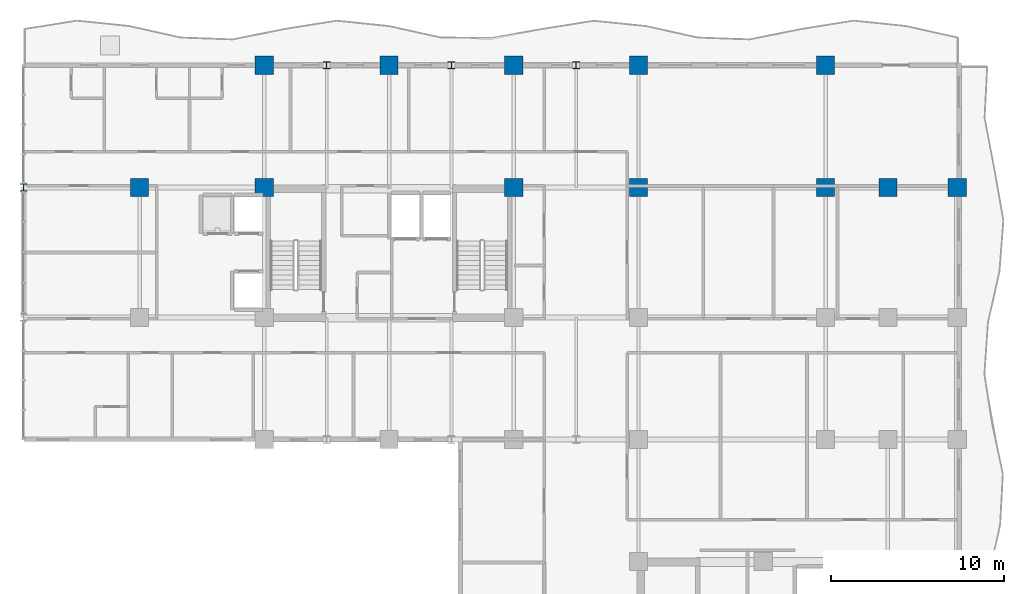
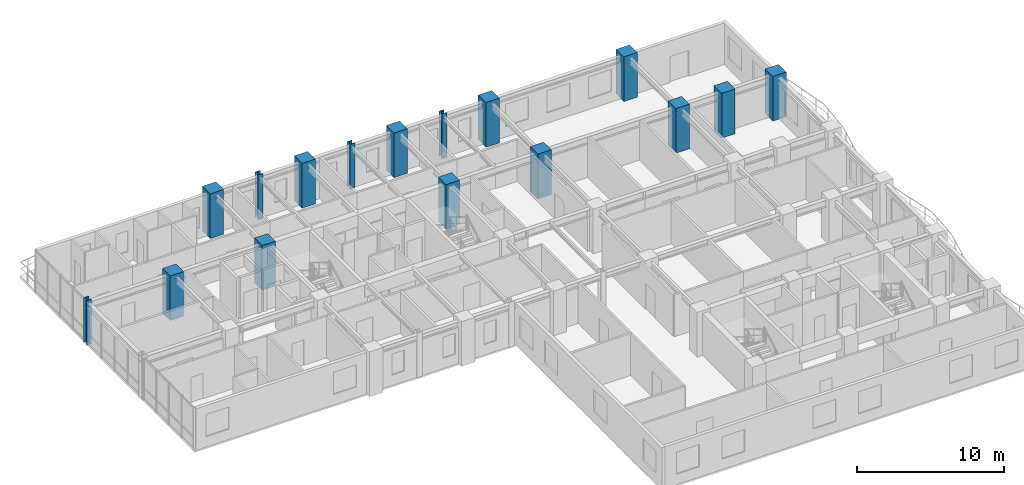
# One storey, part 2 of 20: 16 columns.
"""IFC4 building model written with IfcOpenShell, lengths in metres."""

import ifcopenshell
import ifcopenshell.guid

model = None  # the IFC model being written
_history = None  # IfcOwnerHistory: only IFC2X3 demands one
_inside = {}  # id of a spatial element -> (the spatial element, [elements in it])
_under = {}  # id of a project, library or spatial element -> (it, [spatial elements below it])
_declared = {}  # id of a project -> (the project, [libraries it declares])
_typed = {}  # id of a type object -> (the type object, [elements of that type])
_made_of = {}  # id of a material, layer set ... -> (it, [elements and type objects made of it])


def new_model(schema):
    """Start an empty IFC model of exactly this schema.

    Asked for "IFC4X3", IfcOpenShell would pick the latest addendum, in which some entities
    have other attributes; the version numbers below select the first issue.
    IFC2X3 requires an IfcOwnerHistory on every rooted entity: one is made here for all.
    """
    global model, _history
    if schema == "IFC4X3":
        model = ifcopenshell.file(schema_version=(4, 3, 0, 0))
    else:
        model = ifcopenshell.file(schema=schema)
    _inside.clear()
    _under.clear()
    _declared.clear()
    _typed.clear()
    _made_of.clear()
    _history = None
    if model.schema == "IFC2X3":
        org = make("IfcOrganization", Name="unknown")
        user = make(
            "IfcPersonAndOrganization",
            ThePerson=make("IfcPerson", FamilyName="unknown"),
            TheOrganization=org,
        )
        app = make(
            "IfcApplication",
            ApplicationDeveloper=org,
            Version="unknown",
            ApplicationFullName="unknown",
            ApplicationIdentifier="unknown",
        )
        _history = make(
            "IfcOwnerHistory",
            OwningUser=user,
            OwningApplication=app,
            ChangeAction="ADDED",
            CreationDate=0,
        )
    return model


def make(cls, **values):
    """One entity of the class cls with the attributes given. An attribute that is None is left unset."""
    return model.create_entity(
        cls, **{name: value for name, value in values.items() if value is not None}
    )


def rooted(cls, **values):
    """An entity with a GlobalId (a new one), such as an element, a storey or a relation."""
    return make(cls, GlobalId=ifcopenshell.guid.new(), OwnerHistory=_history, **values)


def si_unit(unit_type, name, prefix=None):
    """IfcSIUnit, for example si_unit("LENGTHUNIT", "METRE", prefix="MILLI")."""
    return make("IfcSIUnit", UnitType=unit_type, Prefix=prefix, Name=name)


def assignment(units):
    """IfcUnitAssignment: the units of a project."""
    return None if units is None else make("IfcUnitAssignment", Units=units)


def point(xyz):
    """IfcCartesianPoint."""
    return None if xyz is None else make("IfcCartesianPoint", Coordinates=xyz)


def direction(xyz):
    """IfcDirection."""
    return None if xyz is None else make("IfcDirection", DirectionRatios=xyz)


def frame(location, z_axis=None, x_axis=None):
    """IfcAxis2Placement3D, a coordinate frame: its origin and axes. An axis left out is left unset."""
    return make(
        "IfcAxis2Placement3D",
        Location=point(location),
        Axis=direction(z_axis),
        RefDirection=direction(x_axis),
    )


def frame_2d(location, x_axis=None):
    """IfcAxis2Placement2D, a coordinate frame in the plane: its origin and x axis."""
    return make(
        "IfcAxis2Placement2D", Location=point(location), RefDirection=direction(x_axis)
    )


def origin():
    """The frame at (0, 0, 0) with its axes left unset."""
    return frame((0.0, 0.0, 0.0))


def origin_2d():
    """The frame at (0, 0) in the plane with its x axis left unset."""
    return frame_2d((0.0, 0.0))


def place(relative_to, where):
    """IfcLocalPlacement: puts the frame where relative to a parent placement (None: the world)."""
    return make(
        "IfcLocalPlacement", PlacementRelTo=relative_to, RelativePlacement=where
    )


def context(
    kind, dimensions, precision=None, world=None, true_north=None, identifier=None
):
    """IfcGeometricRepresentationContext, for example the 3D "Model" context."""
    return make(
        "IfcGeometricRepresentationContext",
        ContextIdentifier=identifier,
        ContextType=kind,
        CoordinateSpaceDimension=dimensions,
        Precision=precision,
        WorldCoordinateSystem=world,
        TrueNorth=true_north,
    )


def subcontext(parent, identifier, kind, view, scale=None):
    """IfcGeometricRepresentationSubContext, for example "Body" below "Model"."""
    return make(
        "IfcGeometricRepresentationSubContext",
        ContextIdentifier=identifier,
        ContextType=kind,
        ParentContext=parent,
        TargetScale=scale,
        TargetView=view,
    )


def project(units=None, contexts=None):
    """IfcProject with its units and contexts."""
    return rooted(
        "IfcProject",
        Name="project",
        RepresentationContexts=contexts,
        UnitsInContext=assignment(units),
    )


def spatial(cls, under=None, at=None, **own):
    """A site, building, storey or space (cls), placed at a placement, below another one or the project."""
    s = rooted(cls, ObjectPlacement=at, **own)
    if under is not None:
        _under.setdefault(under.id(), (under, []))[1].append(s)
    return s


def profile(cls, at=None, kind="AREA", **sizes):
    """A parametric profile (cls). Its sizes go by their IFC names, for example OverallWidth=200.0."""
    return make(cls, ProfileType=kind, Position=at, **sizes)


def rectangle(**sizes):
    """IfcRectangleProfileDef."""
    return profile("IfcRectangleProfileDef", **sizes)


def i_section(**sizes):
    """IfcIShapeProfileDef."""
    return profile("IfcIShapeProfileDef", **sizes)


def extrude(swept, where, along, depth):
    """IfcExtrudedAreaSolid: the profile swept, set in the frame where, extruded along a direction by depth."""
    return make(
        "IfcExtrudedAreaSolid",
        SweptArea=swept,
        Position=where,
        ExtrudedDirection=direction(along),
        Depth=depth,
    )


def shape(context_of_items, identifier, shape_type, items):
    """IfcShapeRepresentation: the items that make up one representation, for example the "Body"."""
    return make(
        "IfcShapeRepresentation",
        ContextOfItems=context_of_items,
        RepresentationIdentifier=identifier,
        RepresentationType=shape_type,
        Items=items,
    )


def source(mapping_origin, context_of_items, identifier, shape_type, items):
    """IfcRepresentationMap: a shape defined once, which mapped items show again and again."""
    return make(
        "IfcRepresentationMap",
        MappingOrigin=mapping_origin,
        MappedRepresentation=shape(context_of_items, identifier, shape_type, items),
    )


def transform(
    local_origin,
    x_axis=None,
    y_axis=None,
    z_axis=None,
    scale=None,
    scale2=None,
    scale3=None,
    uniform=True,
):
    """IfcCartesianTransformationOperator3D, or its non-uniform kind. x_axis, y_axis, z_axis: its Axis1, 2, 3."""
    if uniform:
        return make(
            "IfcCartesianTransformationOperator3D",
            Axis1=direction(x_axis),
            Axis2=direction(y_axis),
            LocalOrigin=point(local_origin),
            Scale=scale,
            Axis3=direction(z_axis),
        )
    return make(
        "IfcCartesianTransformationOperator3DnonUniform",
        Axis1=direction(x_axis),
        Axis2=direction(y_axis),
        LocalOrigin=point(local_origin),
        Scale=scale,
        Axis3=direction(z_axis),
        Scale2=scale2,
        Scale3=scale3,
    )


def mapped(mapping_source, mapping_target):
    """IfcMappedItem: shows the shape of a source again, moved by a transform."""
    return make(
        "IfcMappedItem", MappingSource=mapping_source, MappingTarget=mapping_target
    )


def material(Name=None, Category=None):
    """IfcMaterial."""
    return make("IfcMaterial", Name=Name, Category=Category)


def material_profile(
    of_material, cross_section, Name=None, Category=None, Priority=None
):
    """IfcMaterialProfile: a cross section and its material."""
    return make(
        "IfcMaterialProfile",
        Name=Name,
        Material=of_material,
        Profile=cross_section,
        Priority=Priority,
        Category=Category,
    )


def profile_set(profiles, Name=None, composite=None):
    """IfcMaterialProfileSet."""
    return make(
        "IfcMaterialProfileSet",
        Name=Name,
        MaterialProfiles=profiles,
        CompositeProfile=composite,
    )


def made_of(thing, what):
    """Note that an element or type object is made of a material, layer set ...; save() writes the relation."""
    if what is not None:
        _made_of.setdefault(what.id(), (what, []))[1].append(thing)
    return thing


def type_object(cls, material=None, **own):
    """A type object (cls), such as IfcWallType, which elements share."""
    return made_of(rooted(cls, **own), material)


def element(
    cls,
    number,
    at=None,
    inside=None,
    cuts=None,
    type_object=None,
    material=None,
    context=None,
    identifier="Body",
    shape_type=None,
    held_by="IfcProductDefinitionShape",
    body=None,
    shapes=None,
    **own,
):
    """One element of the class cls, such as IfcWall. Its Tag is "e" and its number.

    at: its placement. inside: the storey or other place that contains it. cuts: it is an
    opening in that element (IfcRelVoidsElement). A single representation is given by context,
    identifier, shape_type and body (its items); several are given by shapes. held_by: the class
    of the entity that holds the representations. save() writes the other relations.
    """
    e = rooted(cls, Tag="e%d" % number, ObjectPlacement=at, **own)
    if body is not None:
        shapes = [shape(context, identifier, shape_type, body)]
    if shapes is not None:
        e.Representation = make(held_by, Representations=shapes)
    if inside is not None:
        _inside.setdefault(inside.id(), (inside, []))[1].append(e)
    if cuts is not None:
        rooted(
            "IfcRelVoidsElement", RelatingBuildingElement=cuts, RelatedOpeningElement=e
        )
    if type_object is not None:
        _typed.setdefault(type_object.id(), (type_object, []))[1].append(e)
    return made_of(e, material)


def aggregate(whole, parts):
    """IfcRelAggregates: a whole, such as a stair, and the parts it consists of."""
    return rooted("IfcRelAggregates", RelatingObject=whole, RelatedObjects=parts)


def save(model, path):
    """Write the relations noted so far, then the file.

    IfcRelAggregates (storeys below a building ...), IfcRelContainedInSpatialStructure (elements
    in a storey), IfcRelDefinesByType, IfcRelAssociatesMaterial and IfcRelDeclares: one each for
    every whole, place, type object, material and project.
    """
    for whole, parts in _under.values():
        aggregate(whole, parts)
    for where, things in _inside.values():
        rooted(
            "IfcRelContainedInSpatialStructure",
            RelatedElements=things,
            RelatingStructure=where,
        )
    for kind, things in _typed.values():
        rooted("IfcRelDefinesByType", RelatedObjects=things, RelatingType=kind)
    for what, things in _made_of.values():
        rooted("IfcRelAssociatesMaterial", RelatedObjects=things, RelatingMaterial=what)
    for by, libraries in _declared.values():
        rooted("IfcRelDeclares", RelatingContext=by, RelatedDefinitions=libraries)
    model.write(path)


model = new_model("IFC4")

# Units and contexts
model_context = context("Model", 3, precision=1e-05, world=origin(), true_north=direction((0.0, 1.0)))
body_context = subcontext(model_context, "Body", "Model", "MODEL_VIEW")
ifc_project = project(units=[si_unit("LENGTHUNIT", "METRE"), si_unit("AREAUNIT", "SQUARE_METRE"), si_unit("VOLUMEUNIT", "CUBIC_METRE"), si_unit("PLANEANGLEUNIT", "RADIAN"), si_unit("MASSUNIT", "GRAM", prefix="KILO")], contexts=[model_context])

# Site, building, storey
site_placement = place(None, origin())
site = spatial("IfcSite", under=ifc_project, at=site_placement, CompositionType="ELEMENT")
building_placement = place(site_placement, origin())
building = spatial("IfcBuilding", under=site, at=building_placement, Name="Kaliganga Portal Commons", CompositionType="ELEMENT")
storey_placement = place(building_placement, frame((0.0, 0.0, 155.0)))
storey = spatial("IfcBuildingStorey", under=building, at=storey_placement, Name="L39", CompositionType="ELEMENT", Elevation=155.0)

# Columns
ifc_material_1 = material(Name="Concrete C60/75", Category="concrete")
ifc_material_profile_1 = material_profile(ifc_material_1, rectangle(XDim=1.050048828125, YDim=1.050048828125, at=origin_2d()), Name="RC 1050x1050")
ifc_profile_set_1 = profile_set([ifc_material_profile_1], Name="Concrete C60/75")
column_type_1 = type_object("IfcColumnType", Name="COL-MEGA-Z3", PredefinedType="COLUMN", material=ifc_profile_set_1)
shared_shape_1 = source(origin(), body_context, "Body", "SweptSolid", [
    extrude(rectangle(XDim=1.050048828125, YDim=1.050048828125, at=origin_2d()), origin(), (0.0, 0.0, 1.0), 3.699951171875),
])
for number, where, z_axis, x_axis, name in (
    (1, (7.199951171875, 36.14990234375, 0.0), (0.0, 0.0, 1.0), (1.0, 0.0, 0.0), "Column MC-04 L39"),
    (2, (14.39990234375, 36.14990234375, 0.0), (0.0, 0.0, 1.0), (1.0, 0.0, 0.0), "Column MC-04 L39"),
    (3, (14.39990234375, 43.199951171875, 0.0), (0.0, 0.0, 1.0), (1.0, 0.0, 0.0), "Column MC-04 L39"),
    (4, (21.60009765625, 43.199951171875, 0.0), (0.0, 0.0, 1.0), (1.0, 0.0, 0.0), "Column MC-04 L39"),
    (5, (28.800048828125, 36.14990234375, 0.0), (0.0, 0.0, 1.0), (1.0, 0.0, 0.0), "Column MC-04 L39"),
    (6, (28.800048828125, 43.199951171875, 0.0), (0.0, 0.0, 1.0), (1.0, 0.0, 0.0), "Column MC-04 L39"),
    (7, (36.0, 43.199951171875, 0.0), (0.0, 0.0, 1.0), (1.0, 0.0, 0.0), "Column MC-04 L39"),
    (8, (36.0, 36.14990234375, 0.0), (0.0, 0.0, 1.0), (1.0, 0.0, 0.0), "Column MC-04 L39"),
    (9, (46.800048828125, 36.14990234375, 0.0), (0.0, 0.0, 1.0), (1.0, 0.0, 0.0), "Column MC-04 L39"),
    (10, (46.800048828125, 43.199951171875, 0.0), (0.0, 0.0, 1.0), (1.0, 0.0, 0.0), "Column MC-04 L39"),
    (11, (50.39990234375, 36.14990234375, 0.0), (0.0, 0.0, 1.0), (1.0, 0.0, 0.0), "Column MC-04 L39"),
    (12, (54.39990234375, 36.14990234375, 0.0), (0.0, 0.0, 1.0), (1.0, 0.0, 0.0), "Column MC-04 L39"),
):
    element("IfcColumn", number, at=place(storey_placement, frame(where, z_axis=z_axis, x_axis=x_axis)), inside=storey, type_object=column_type_1, Name=name, PredefinedType="COLUMN", context=body_context, shape_type="MappedRepresentation", body=[
        mapped(shared_shape_1, transform((0.0, 0.0, 0.0), x_axis=(1.0, 0.0, 0.0), y_axis=(0.0, 1.0, 0.0), z_axis=(0.0, 0.0, 1.0), scale=1.0)),
    ])
ifc_material_2 = material(Name="Structural steel S460M", Category="steel")
ifc_material_profile_2 = material_profile(ifc_material_2, i_section(OverallWidth=0.404052734375, OverallDepth=0.4140625, WebThickness=0.0205078125, FlangeThickness=0.028076171875, FilletRadius=0.014892578125, at=origin_2d()), Name="HD 400x347")
ifc_profile_set_2 = profile_set([ifc_material_profile_2], Name="Structural steel S460M wide-flange")
column_type_2 = type_object("IfcColumnType", Name="COL-TUBE-B3", PredefinedType="COLUMN", material=ifc_profile_set_2)
shared_shape_2 = source(origin(), body_context, "Body", "SweptSolid", [
    extrude(i_section(OverallWidth=0.404052734375, OverallDepth=0.4140625, WebThickness=0.0205078125, FlangeThickness=0.028076171875, FilletRadius=0.014892578125, at=origin_2d()), origin(), (0.0, 0.0, 1.0), 3.699951171875),
])
for number, where, z_axis, x_axis, name in (
    (13, (0.5, 36.14990234375, 0.0), (0.0, 0.0, 1.0), (1.0, 0.0, 0.0), "Column TC-03 L39"),
    (14, (18.0, 43.199951171875, 0.0), (0.0, 0.0, 1.0), (1.0, 0.0, 0.0), "Column TC-03 L39"),
    (15, (25.199951171875, 43.199951171875, 0.0), (0.0, 0.0, 1.0), (1.0, 0.0, 0.0), "Column TC-03 L39"),
    (16, (32.39990234375, 43.199951171875, 0.0), (0.0, 0.0, 1.0), (1.0, 0.0, 0.0), "Column TC-03 L39"),
):
    element("IfcColumn", number, at=place(storey_placement, frame(where, z_axis=z_axis, x_axis=x_axis)), inside=storey, type_object=column_type_2, Name=name, PredefinedType="COLUMN", context=body_context, shape_type="MappedRepresentation", body=[
        mapped(shared_shape_2, transform((0.0, 0.0, 0.0), x_axis=(1.0, 0.0, 0.0), y_axis=(0.0, 1.0, 0.0), z_axis=(0.0, 0.0, 1.0), scale=1.0)),
    ])

save(model, "model.ifc")
